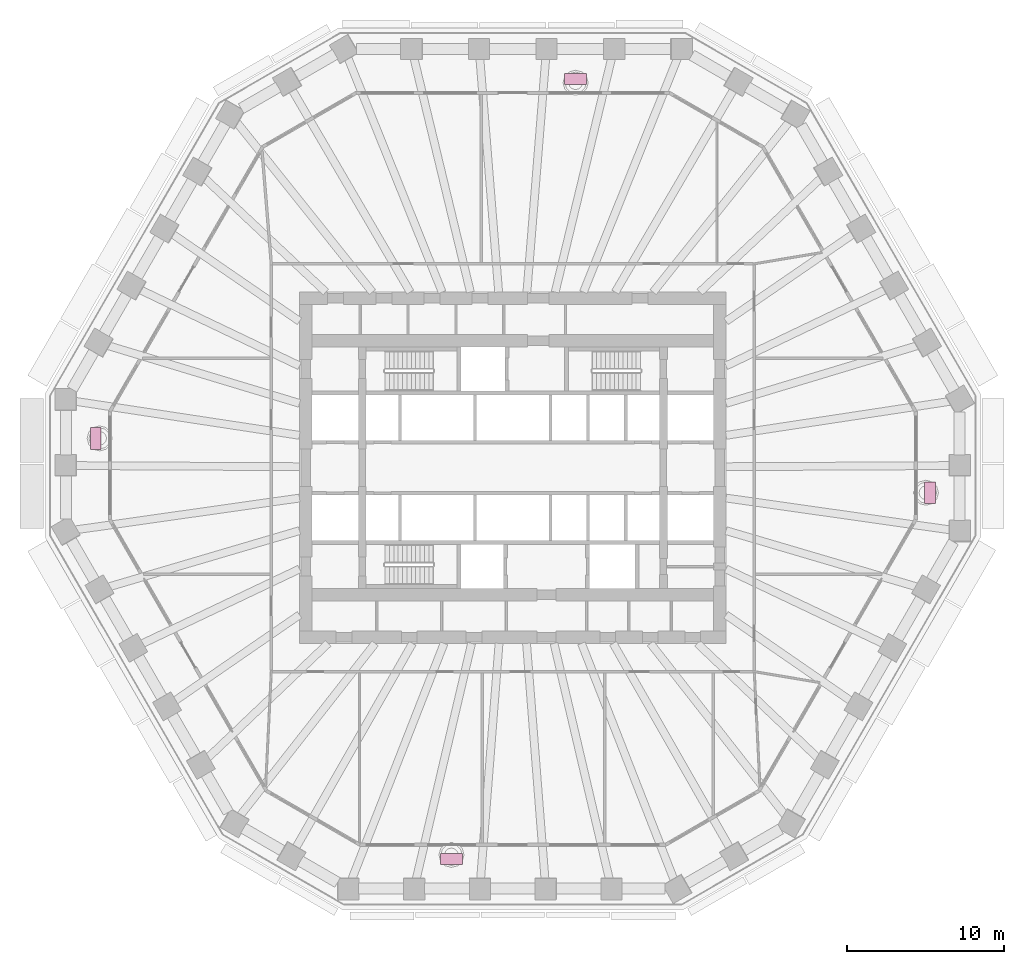
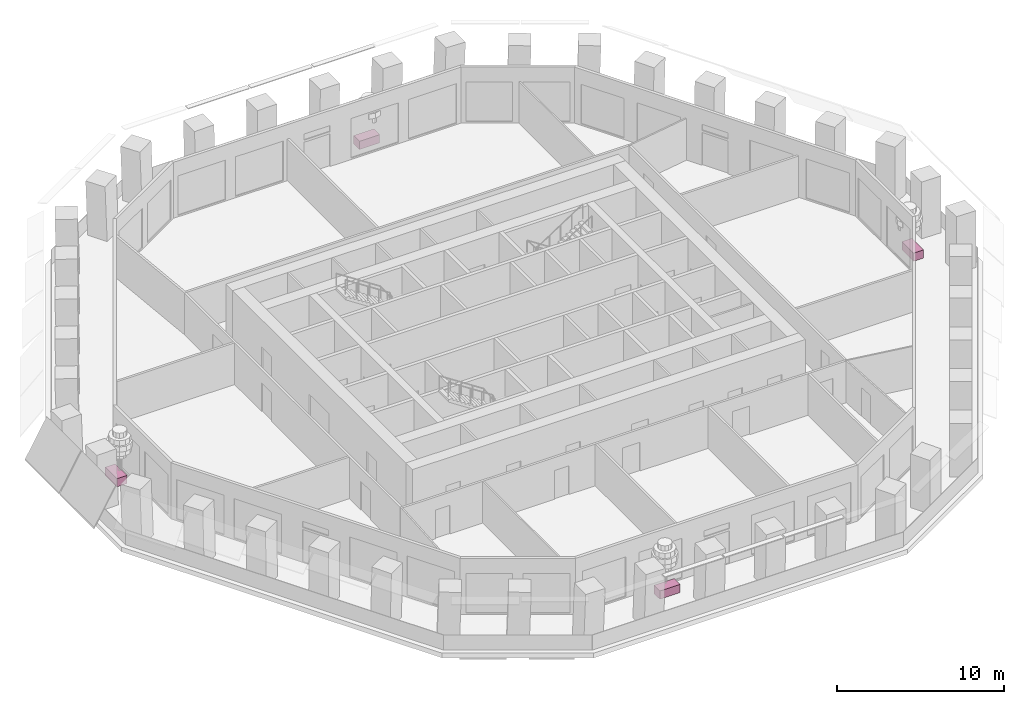
# One storey, part 11 of 12: 4 furniture elements.
"""IFC4 building model written with IfcOpenShell, lengths in metres."""

from ifc_helpers import new_model, si_unit, direction, frame, origin, origin_2d, place, context, subcontext, project, spatial, rectangle, extrude, material, type_object, element, save


model = new_model("IFC4")

# Units and contexts
model_context = context("Model", 3, precision=1e-05, world=origin(), true_north=direction((0.0, 1.0)))
body_context = subcontext(model_context, "Body", "Model", "MODEL_VIEW")
ifc_project = project(units=[si_unit("LENGTHUNIT", "METRE"), si_unit("AREAUNIT", "SQUARE_METRE"), si_unit("VOLUMEUNIT", "CUBIC_METRE"), si_unit("PLANEANGLEUNIT", "RADIAN"), si_unit("MASSUNIT", "GRAM", prefix="KILO")], contexts=[model_context])

# Site, building, storey
site_placement = place(None, origin())
site = spatial("IfcSite", under=ifc_project, at=site_placement, CompositionType="ELEMENT")
building_placement = place(site_placement, origin())
building = spatial("IfcBuilding", under=site, at=building_placement, Name="Frailejon Research Tower", CompositionType="ELEMENT")
storey_placement = place(building_placement, frame((0.0, 0.0, 85.199951171875)))
storey = spatial("IfcBuildingStorey", under=building, at=storey_placement, Name="L18", CompositionType="ELEMENT", Elevation=85.199951171875)

# Furniture
ifc_material = material(Name="Precast concrete C30/37 planter, terracotta", Category="masonry")
furniture_type = type_object("IfcFurnitureType", Name="Loggia planter 1400x700", AssemblyPlace="NOTDEFINED", PredefinedType="USERDEFINED", material=ifc_material)
for number, where, z_axis, x_axis, name in (
    (1, (26.592529296875, -1.59375, 0.0), (0.0, 0.0, 1.0), (0.0, 1.0, 0.0), "Planter L18"),
    (2, (4.00634765625, 24.800048828125, 0.0), (0.0, 0.0, 1.0), (-1.0, 0.0, 0.0), "Planter L18"),
    (3, (-26.592529296875, 1.870361328125, 0.0), (0.0, 0.0, 1.0), (0.0, -1.0, 0.0), "Planter L18"),
    (4, (-3.91064453125, -24.938232421875, 0.0), (0.0, 0.0, 1.0), (1.0, 0.0, 0.0), "Planter L18"),
):
    element("IfcFurniture", number, at=place(storey_placement, frame(where, z_axis=z_axis, x_axis=x_axis)), inside=storey, type_object=furniture_type, Name=name, ObjectType="PLANTER", PredefinedType="USERDEFINED", context=body_context, shape_type="SweptSolid", body=[
        extrude(rectangle(XDim=1.39990234375, YDim=0.699951171875, at=origin_2d()), origin(), (0.0, 0.0, 1.0), 0.60009765625),
    ])

save(model, "model.ifc")
